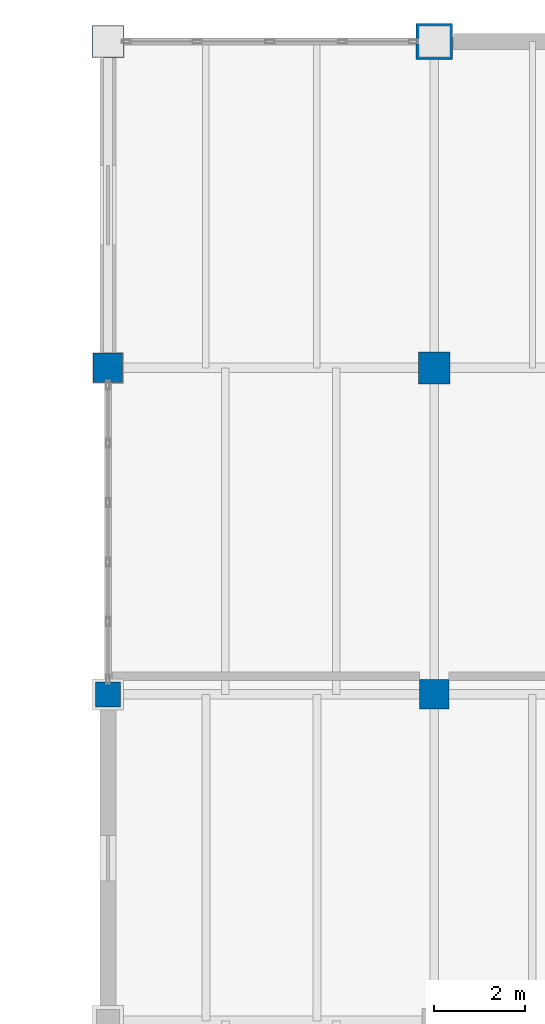
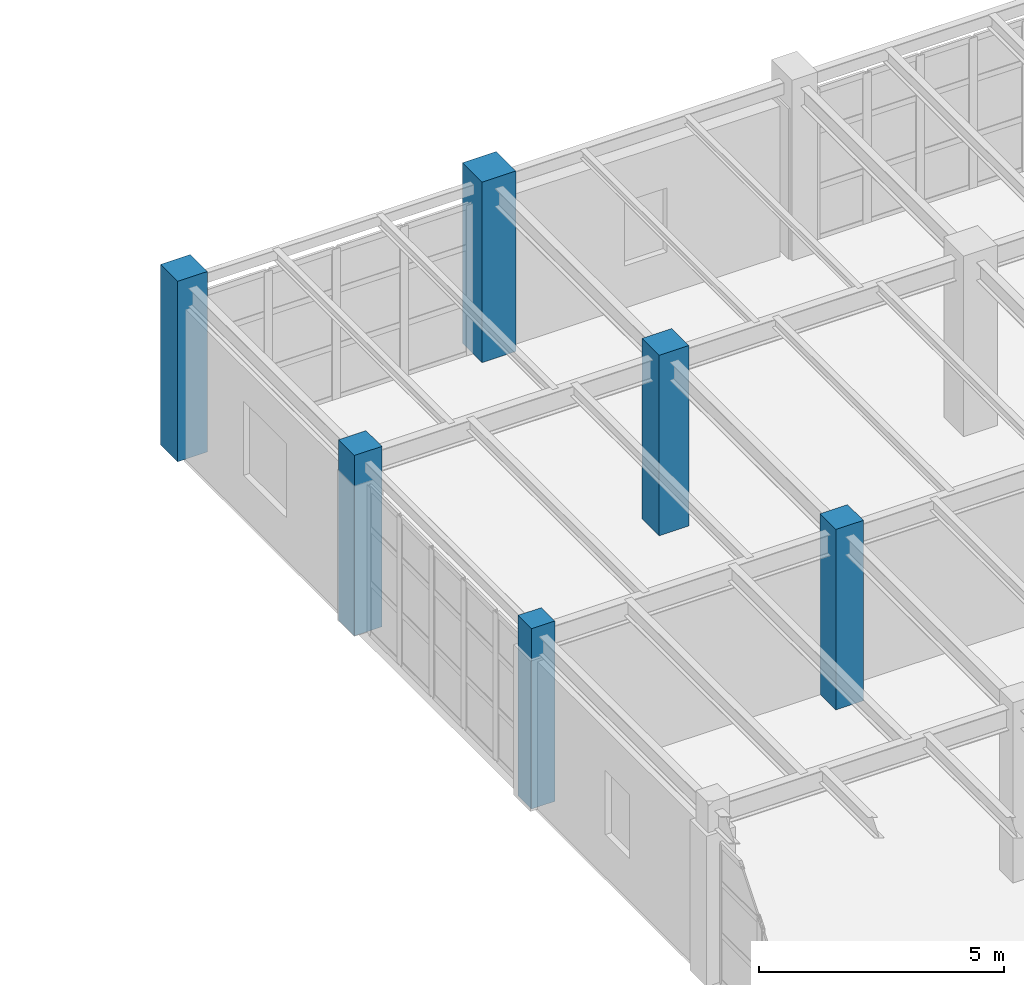
# One storey, part 11 of 137: 6 columns.
"""IFC4 building model written with IfcOpenShell, lengths in metres."""

from ifc_helpers import new_model, si_unit, direction, frame, origin, origin_2d, place, context, subcontext, project, spatial, rectangle, extrude, material, material_profile, profile_set, type_object, element, save


model = new_model("IFC4")

# Units and contexts
model_context = context("Model", 3, precision=1e-05, world=origin(), true_north=direction((0.0, 1.0)))
body_context = subcontext(model_context, "Body", "Model", "MODEL_VIEW")
ifc_project = project(units=[si_unit("LENGTHUNIT", "METRE"), si_unit("AREAUNIT", "SQUARE_METRE"), si_unit("VOLUMEUNIT", "CUBIC_METRE"), si_unit("PLANEANGLEUNIT", "RADIAN"), si_unit("MASSUNIT", "GRAM", prefix="KILO")], contexts=[model_context])

# Site, building, storey
site_placement = place(None, origin())
site = spatial("IfcSite", under=ifc_project, at=site_placement, CompositionType="ELEMENT")
building_placement = place(site_placement, origin())
building = spatial("IfcBuilding", under=site, at=building_placement, Name="Kemerveld Promenade Tramway Depot", CompositionType="ELEMENT")
storey_placement = place(building_placement, frame((0.0, 0.0, 5.39990234375)))
storey = spatial("IfcBuildingStorey", under=building, at=storey_placement, Name="L01", CompositionType="ELEMENT", Elevation=5.39990234375)

# Columns
ifc_material = material(Name="Concrete C40/50", Category="concrete")
ifc_material_profile_1 = material_profile(ifc_material, rectangle(XDim=0.800048828125, YDim=0.800048828125, at=origin_2d()), Name="RC-COL-800x800")
ifc_profile_set_1 = profile_set([ifc_material_profile_1], Name="Concrete C40/50")
column_type_1 = type_object("IfcColumnType", Name="COL-RC10", PredefinedType="COLUMN", material=ifc_profile_set_1)
column_1_placement = place(storey_placement, frame((122.39990234375, 79.199951171875, 0.0), z_axis=(0.0, 0.0, 1.0), x_axis=(1.0, 0.0, 0.0)))
element("IfcColumn", 1, at=column_1_placement, inside=storey, type_object=column_type_1, Name="COL-L01-18-M", PredefinedType="COLUMN", context=body_context, shape_type="SweptSolid", body=[
    extrude(rectangle(XDim=0.800048828125, YDim=0.800048828125, at=origin_2d()), origin(), (0.0, 0.0, 1.0), 4.5),
])
ifc_material_profile_2 = material_profile(ifc_material, rectangle(XDim=0.550048828125, YDim=0.550048828125, at=origin_2d()), Name="RC-COL-550x550")
ifc_profile_set_2 = profile_set([ifc_material_profile_2], Name="Concrete C40/50")
column_type_2 = type_object("IfcColumnType", Name="COL-RC7", PredefinedType="COLUMN", material=ifc_profile_set_2)
column_2_placement = place(storey_placement, frame((115.199951171875, 64.800048828125, 0.0), z_axis=(0.0, 0.0, 1.0), x_axis=(1.0, 0.0, 0.0)))
element("IfcColumn", 2, at=column_2_placement, inside=storey, type_object=column_type_2, Name="COL-L01-17-K", PredefinedType="COLUMN", context=body_context, shape_type="SweptSolid", body=[
    extrude(rectangle(XDim=0.550048828125, YDim=0.550048828125, at=origin_2d()), origin(), (0.0, 0.0, 1.0), 4.5),
])
ifc_material_profile_3 = material_profile(ifc_material, rectangle(XDim=0.64990234375, YDim=0.64990234375, at=origin_2d()), Name="RC-COL-650x650")
ifc_profile_set_3 = profile_set([ifc_material_profile_3], Name="Concrete C40/50")
column_type_3 = type_object("IfcColumnType", Name="COL-RC8", PredefinedType="COLUMN", material=ifc_profile_set_3)
for number, where, z_axis, x_axis, name in (
    (3, (115.199951171875, 72.0, 0.0), (0.0, 0.0, 1.0), (1.0, 0.0, 0.0), "COL-L01-17-L"),
    (4, (122.39990234375, 64.800048828125, 0.0), (0.0, 0.0, 1.0), (1.0, 0.0, 0.0), "COL-L01-18-K"),
):
    element("IfcColumn", number, at=place(storey_placement, frame(where, z_axis=z_axis, x_axis=x_axis)), inside=storey, type_object=column_type_3, Name=name, PredefinedType="COLUMN", context=body_context, shape_type="SweptSolid", body=[
        extrude(rectangle(XDim=0.64990234375, YDim=0.64990234375, at=origin_2d()), origin(), (0.0, 0.0, 1.0), 4.5),
    ])
ifc_material_profile_4 = material_profile(ifc_material, rectangle(XDim=0.699951171875, YDim=0.699951171875, at=origin_2d()), Name="RC-COL-700x700")
ifc_profile_set_4 = profile_set([ifc_material_profile_4], Name="Concrete C40/50")
column_type_4 = type_object("IfcColumnType", Name="COL-RC9", PredefinedType="COLUMN", material=ifc_profile_set_4)
for number, where, z_axis, x_axis, name in (
    (5, (115.199951171875, 79.199951171875, 0.0), (0.0, 0.0, 1.0), (1.0, 0.0, 0.0), "COL-L01-17-M"),
    (6, (122.39990234375, 72.0, 0.0), (0.0, 0.0, 1.0), (1.0, 0.0, 0.0), "COL-L01-18-L"),
):
    element("IfcColumn", number, at=place(storey_placement, frame(where, z_axis=z_axis, x_axis=x_axis)), inside=storey, type_object=column_type_4, Name=name, PredefinedType="COLUMN", context=body_context, shape_type="SweptSolid", body=[
        extrude(rectangle(XDim=0.699951171875, YDim=0.699951171875, at=origin_2d()), origin(), (0.0, 0.0, 1.0), 4.5),
    ])

save(model, "model.ifc")
